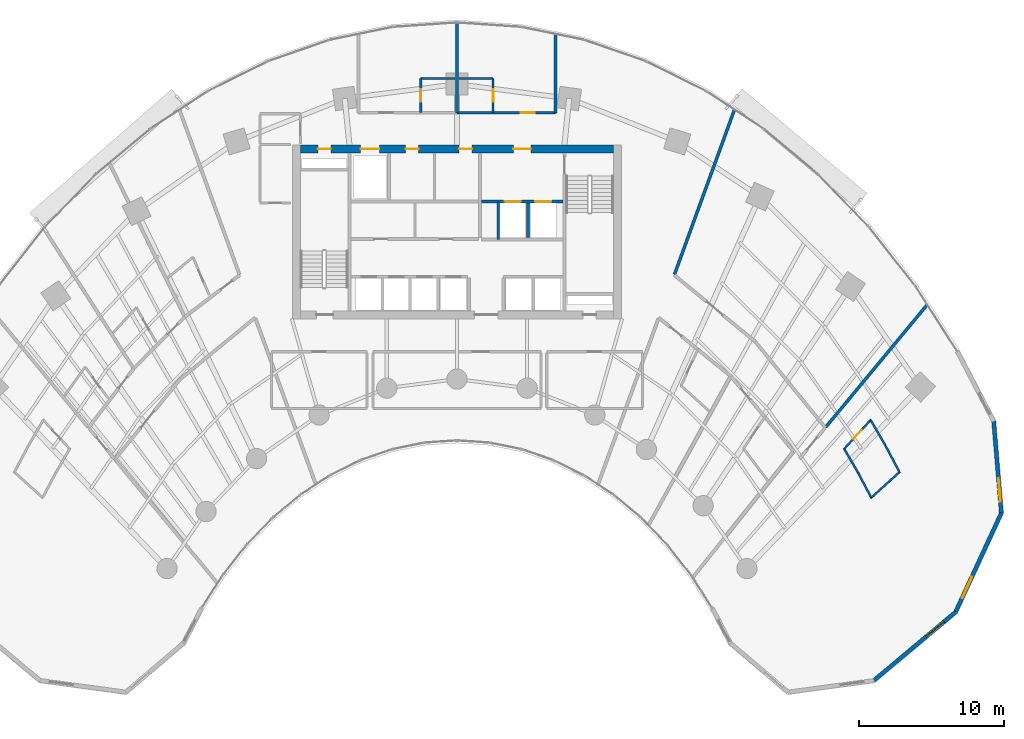
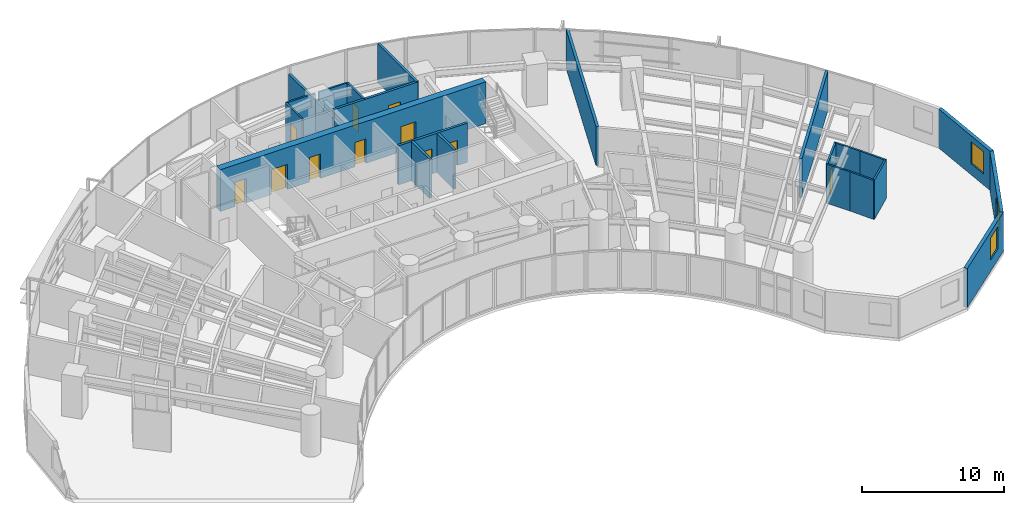
# One storey, part 14 of 17: 22 walls, 11 doors, 3 windows, 14 openings.
"""IFC4 building model written with IfcOpenShell, lengths in metres."""

from ifc_helpers import new_model, si_unit, direction, frame, frame_2d, origin, place, context, subcontext, project, spatial, rectangle, extrude, source, transform, mapped, material, layer, layer_set, type_object, type_shapes, element, fill, save


model = new_model("IFC4")

# Units and contexts
model_context = context("Model", 3, precision=1e-05, world=origin(), true_north=direction((0.0, 1.0)))
body_context = subcontext(model_context, "Body", "Model", "MODEL_VIEW")
ifc_project = project(units=[si_unit("LENGTHUNIT", "METRE"), si_unit("AREAUNIT", "SQUARE_METRE"), si_unit("VOLUMEUNIT", "CUBIC_METRE"), si_unit("PLANEANGLEUNIT", "RADIAN"), si_unit("MASSUNIT", "GRAM", prefix="KILO")], contexts=[model_context])

# Site, building, storey
site_placement = place(None, origin())
site = spatial("IfcSite", under=ifc_project, at=site_placement, CompositionType="ELEMENT")
building_placement = place(site_placement, origin())
building = spatial("IfcBuilding", under=site, at=building_placement, Name="Breltana Convention Tower", CompositionType="ELEMENT")
storey_placement = place(building_placement, frame((0.0, 0.0, 75.0)))
storey = spatial("IfcBuildingStorey", under=building, at=storey_placement, Name="L17", CompositionType="ELEMENT", Elevation=75.0)

# Wall, openings, doors
ifc_material_1 = material(Name="Concrete C60/75", Category="concrete")
ifc_layer_1 = layer(ifc_material_1, 0.550048828125, Name="Concrete C60/75")
ifc_layer_set_1 = layer_set([ifc_layer_1], Name="Concrete C60/75")
wall_type_1 = type_object("IfcWallType", Name="SW-CORE-550", PredefinedType="SHEAR", material=ifc_layer_set_1)
shared_shape_1 = source(origin(), body_context, "Body", "SweptSolid", [
    extrude(rectangle(XDim=21.60009765625, YDim=0.550048828125, at=frame_2d((10.800048828125, 0.0))), origin(), (0.0, 0.0, 1.0), 3.60009765625),
])
wall_1_placement = place(storey_placement, frame((37.199951171875, 71.925048828125, 0.0), z_axis=(0.0, 0.0, 1.0), x_axis=(1.0, 0.0, 0.0)))
wall_1 = element("IfcWall", 1, at=wall_1_placement, inside=storey, type_object=wall_type_1, Name="L17 North Core Shear Wall", PredefinedType="SHEAR", context=body_context, shape_type="MappedRepresentation", body=[
    mapped(shared_shape_1, transform((0.0, 0.0, 0.0), scale=1.0)),
])
opening_1_placement = place(wall_1_placement, frame((1.199951171875, 0.0, 0.0)))
opening_1 = element("IfcOpeningElement", 2, at=opening_1_placement, cuts=wall_1, Name="Opening D-18", PredefinedType="OPENING", context=body_context, shape_type="SweptSolid", body=[
    extrude(rectangle(XDim=0.89990234375, YDim=2.10009765625, at=frame_2d((0.449951171875, 1.050048828125))), frame((0.0, 0.28515625, 0.0), z_axis=(0.0, -1.0, 0.0), x_axis=(1.0, 0.0, 0.0)), (0.0, 0.0, 1.0), 0.570068359375),
])
opening_2_placement = place(wall_1_placement, frame((14.699951171875, 0.0, 0.0)))
opening_2 = element("IfcOpeningElement", 3, at=opening_2_placement, cuts=wall_1, Name="Opening D-09", PredefinedType="OPENING", context=body_context, shape_type="SweptSolid", body=[
    extrude(rectangle(XDim=1.199951171875, YDim=2.14990234375, at=frame_2d((0.60009765625, 1.074951171875))), frame((0.0, 0.28515625, 0.0), z_axis=(0.0, -1.0, 0.0), x_axis=(1.0, 0.0, 0.0)), (0.0, 0.0, 1.0), 0.570068359375),
])
opening_3_placement = place(wall_1_placement, frame((4.14990234375, 0.0, 0.0)))
opening_3 = element("IfcOpeningElement", 4, at=opening_3_placement, cuts=wall_1, Name="Opening LD-01", PredefinedType="OPENING", context=body_context, shape_type="SweptSolid", body=[
    extrude(rectangle(XDim=1.300048828125, YDim=2.14990234375, at=frame_2d((0.64990234375, 1.074951171875))), frame((0.0, 0.28515625, 0.0), z_axis=(0.0, -1.0, 0.0), x_axis=(1.0, 0.0, 0.0)), (0.0, 0.0, 1.0), 0.570068359375),
])
opening_4_placement = place(wall_1_placement, frame((7.25, 0.0, 0.0)))
opening_4 = element("IfcOpeningElement", 5, at=opening_4_placement, cuts=wall_1, Name="Opening D-18", PredefinedType="OPENING", context=body_context, shape_type="SweptSolid", body=[
    extrude(rectangle(XDim=0.89990234375, YDim=2.10009765625, at=frame_2d((0.449951171875, 1.050048828125))), frame((0.0, 0.28515625, 0.0), z_axis=(0.0, -1.0, 0.0), x_axis=(1.0, 0.0, 0.0)), (0.0, 0.0, 1.0), 0.570068359375),
])
opening_5_placement = place(wall_1_placement, frame((10.949951171875, 0.0, 0.0)))
opening_5 = element("IfcOpeningElement", 6, at=opening_5_placement, cuts=wall_1, Name="Opening D-18", PredefinedType="OPENING", context=body_context, shape_type="SweptSolid", body=[
    extrude(rectangle(XDim=0.89990234375, YDim=2.10009765625, at=frame_2d((0.449951171875, 1.050048828125))), frame((0.0, 0.28515625, 0.0), z_axis=(0.0, -1.0, 0.0), x_axis=(1.0, 0.0, 0.0)), (0.0, 0.0, 1.0), 0.570068359375),
])
ifc_material_2 = material(Name="Steel Riser Fire Door", Category="steel")
door_type_1 = type_object("IfcDoorType", Name="DR-FD60-900", OperationType="NOTDEFINED", PredefinedType="DOOR", material=ifc_material_2)
shared_shape_2 = source(origin(), body_context, "Body", "SweptSolid", [
    extrude(rectangle(XDim=0.89990234375, YDim=2.10009765625, at=frame_2d((0.449951171875, 1.050048828125))), frame((0.0, 0.02490234375, 0.0), z_axis=(0.0, -1.0, 0.0), x_axis=(1.0, 0.0, 0.0)), (0.0, 0.0, 1.0), 0.050048828125),
])
type_shapes(door_type_1, [shared_shape_2])
door_1_placement = place(opening_1_placement, origin())
door_1 = element("IfcDoor", 7, at=door_1_placement, inside=storey, type_object=door_type_1, Name="L17 Core Riser Access Door D-L17-RS1", OperationType="SINGLE_SWING_LEFT", OverallHeight=2.10009765625, OverallWidth=0.89990234375, PredefinedType="DOOR", context=body_context, shape_type="MappedRepresentation", body=[
    mapped(shared_shape_2, transform((0.0, 0.0, 0.0), scale=1.0)),
])
fill(opening_1, door_1)
door_2_placement = place(opening_4_placement, origin())
door_2 = element("IfcDoor", 8, at=door_2_placement, inside=storey, type_object=door_type_1, Name="L17 interior door D-L17-CRA1", OperationType="SINGLE_SWING_LEFT", OverallHeight=2.10009765625, OverallWidth=0.89990234375, PredefinedType="DOOR", context=body_context, shape_type="MappedRepresentation", body=[
    mapped(shared_shape_2, transform((0.0, 0.0, 0.0), scale=1.0)),
])
fill(opening_4, door_2)
door_3_placement = place(opening_5_placement, origin())
door_3 = element("IfcDoor", 9, at=door_3_placement, inside=storey, type_object=door_type_1, Name="L17 interior door D-L17-CRA2", OperationType="SINGLE_SWING_RIGHT", OverallHeight=2.10009765625, OverallWidth=0.89990234375, PredefinedType="DOOR", context=body_context, shape_type="MappedRepresentation", body=[
    mapped(shared_shape_2, transform((0.0, 0.0, 0.0), scale=1.0)),
])
fill(opening_5, door_3)
ifc_material_3 = material(Name="Steel Fire Lobby Door", Category="steel")
door_type_2 = type_object("IfcDoorType", Name="DR-FD120-1200", OperationType="NOTDEFINED", PredefinedType="DOOR", material=ifc_material_3)
shared_shape_3 = source(origin(), body_context, "Body", "SweptSolid", [
    extrude(rectangle(XDim=1.199951171875, YDim=2.14990234375, at=frame_2d((0.60009765625, 1.074951171875))), frame((0.0, 0.02490234375, 0.0), z_axis=(0.0, -1.0, 0.0), x_axis=(1.0, 0.0, 0.0)), (0.0, 0.0, 1.0), 0.050048828125),
])
type_shapes(door_type_2, [shared_shape_3])
door_4_placement = place(opening_2_placement, origin())
door_4 = element("IfcDoor", 10, at=door_4_placement, inside=storey, type_object=door_type_2, Name="L17 interior door D-L17-FFL-N", OperationType="SINGLE_SWING_RIGHT", OverallHeight=2.14990234375, OverallWidth=1.199951171875, PredefinedType="DOOR", context=body_context, shape_type="MappedRepresentation", body=[
    mapped(shared_shape_3, transform((0.0, 0.0, 0.0), scale=1.0)),
])
fill(opening_2, door_4)
ifc_material_4 = material(Name="Stainless Steel Brushed", Category="steel")
door_type_3 = type_object("IfcDoorType", Name="DR-LD-SRV-1300", OperationType="DOUBLE_DOOR_SLIDING", PredefinedType="DOOR", material=ifc_material_4)
shared_shape_4 = source(origin(), body_context, "Body", "SweptSolid", [
    extrude(rectangle(XDim=1.300048828125, YDim=2.14990234375, at=frame_2d((0.64990234375, 1.074951171875))), frame((0.0, 0.02490234375, 0.0), z_axis=(0.0, -1.0, 0.0), x_axis=(1.0, 0.0, 0.0)), (0.0, 0.0, 1.0), 0.050048828125),
])
type_shapes(door_type_3, [shared_shape_4])
door_5_placement = place(opening_3_placement, origin())
door_5 = element("IfcDoor", 11, at=door_5_placement, inside=storey, type_object=door_type_3, Name="L17 Lift Landing Door D-L17-LD-SV1", OperationType="DOUBLE_DOOR_SLIDING", OverallHeight=2.14990234375, OverallWidth=1.300048828125, PredefinedType="DOOR", context=body_context, shape_type="MappedRepresentation", body=[
    mapped(shared_shape_4, transform((0.0, 0.0, 0.0), scale=1.0)),
])
fill(opening_3, door_5)

# Wall, opening, window
ifc_material_5 = material(Name="Limestone Buff Insulated Wall", Category="masonry")
ifc_layer_2 = layer(ifc_material_5, 0.280029296875, Name="Limestone Buff Insulated Wall")
ifc_layer_set_2 = layer_set([ifc_layer_2], Name="Limestone Buff Insulated Wall")
wall_type_2 = type_object("IfcWallType", Name="WL-EXT-NOSE-280", PredefinedType="SOLIDWALL", material=ifc_layer_set_2)
shared_shape_5 = source(origin(), body_context, "Body", "SweptSolid", [
    extrude(rectangle(XDim=6.3525390625, YDim=0.280029296875, at=frame_2d((3.17626953125, 0.0))), origin(), (0.0, 0.0, 1.0), 3.360107421875),
])
wall_2_placement = place(storey_placement, frame((85.052978515625, 53.1220703125, 0.0), z_axis=(0.0, 0.0, 1.0), x_axis=(0.083319001377, -0.996522926986, 0.0)))
wall_2 = element("IfcWall", 12, at=wall_2_placement, inside=storey, type_object=wall_type_2, Name="L17 curved limestone nose wall E1", PredefinedType="SOLIDWALL", context=body_context, shape_type="MappedRepresentation", body=[
    mapped(shared_shape_5, transform((0.0, 0.0, 0.0), scale=1.0)),
])
opening_6_placement = place(wall_2_placement, frame((3.96435546875, 0.0, 0.949951171875)))
opening_6 = element("IfcOpeningElement", 13, at=opening_6_placement, cuts=wall_2, Name="Opening W-04", PredefinedType="OPENING", context=body_context, shape_type="SweptSolid", body=[
    extrude(rectangle(XDim=1.60009765625, YDim=1.89990234375, at=frame_2d((0.800048828125, 0.949951171875))), frame((0.0, 0.14990234375, 0.0), z_axis=(0.0, -1.0, 0.0), x_axis=(1.0, 0.0, 0.0)), (0.0, 0.0, 1.0), 0.300048828125),
])
ifc_material_6 = material(Name="Glass Low-E Insulated Window", Category="glass")
window_type = type_object("IfcWindowType", Name="WN-NOSE-1600X1900", PartitioningType="SINGLE_PANEL", PredefinedType="WINDOW", material=ifc_material_6)
shared_shape_6 = source(origin(), body_context, "Body", "SweptSolid", [
    extrude(rectangle(XDim=1.60009765625, YDim=1.89990234375, at=frame_2d((0.800048828125, 0.949951171875))), frame((0.0, 0.030029296875, 0.0), z_axis=(0.0, -1.0, 0.0), x_axis=(1.0, 0.0, 0.0)), (0.0, 0.0, 1.0), 0.06005859375),
])
type_shapes(window_type, [shared_shape_6])
window_1_placement = place(opening_6_placement, origin())
window_1 = element("IfcWindow", 14, at=window_1_placement, inside=storey, type_object=window_type, Name="L17 nose window E1", OverallHeight=1.89990234375, OverallWidth=1.60009765625, PartitioningType="SINGLE_PANEL", PredefinedType="WINDOW", context=body_context, shape_type="MappedRepresentation", body=[
    mapped(shared_shape_6, transform((0.0, 0.0, 0.0), scale=1.0)),
])
fill(opening_6, window_1)

shared_shape_7 = source(origin(), body_context, "Body", "SweptSolid", [
    extrude(rectangle(XDim=7.536376953125, YDim=0.280029296875, at=frame_2d((3.76806640625, 0.0))), origin(), (0.0, 0.0, 1.0), 3.360107421875),
])
wall_3_placement = place(storey_placement, frame((85.582275390625, 46.79150390625, 0.0), z_axis=(0.0, 0.0, 1.0), x_axis=(-0.41964973873, -0.907686122393, 0.0)))
wall_3 = element("IfcWall", 15, at=wall_3_placement, inside=storey, type_object=wall_type_2, Name="L17 curved limestone nose wall E2", PredefinedType="SOLIDWALL", context=body_context, shape_type="MappedRepresentation", body=[
    mapped(shared_shape_7, transform((0.0, 0.0, 0.0), scale=1.0)),
])
opening_7_placement = place(wall_3_placement, frame((4.852294921875, 0.0, 0.949951171875)))
opening_7 = element("IfcOpeningElement", 16, at=opening_7_placement, cuts=wall_3, Name="Opening W-04", PredefinedType="OPENING", context=body_context, shape_type="SweptSolid", body=[
    extrude(rectangle(XDim=1.60009765625, YDim=1.89990234375, at=frame_2d((0.800048828125, 0.949951171875))), frame((0.0, 0.14990234375, 0.0), z_axis=(0.0, -1.0, 0.0), x_axis=(1.0, 0.0, 0.0)), (0.0, 0.0, 1.0), 0.300048828125),
])
window_2_placement = place(opening_7_placement, origin())
window_2 = element("IfcWindow", 17, at=window_2_placement, inside=storey, type_object=window_type, Name="L17 nose window E2", OverallHeight=1.89990234375, OverallWidth=1.60009765625, PartitioningType="SINGLE_PANEL", PredefinedType="WINDOW", context=body_context, shape_type="MappedRepresentation", body=[
    mapped(shared_shape_6, transform((0.0, 0.0, 0.0), scale=1.0)),
])
fill(opening_7, window_2)

shared_shape_8 = source(origin(), body_context, "Body", "SweptSolid", [
    extrude(rectangle(XDim=7.35888671875, YDim=0.280029296875, at=frame_2d((3.679443359375, 0.0))), origin(), (0.0, 0.0, 1.0), 3.360107421875),
])
wall_4_placement = place(storey_placement, frame((82.419677734375, 39.950927734375, 0.0), z_axis=(0.0, 0.0, 1.0), x_axis=(-0.766737165543, -0.641961150675, 0.0)))
wall_4 = element("IfcWall", 18, at=wall_4_placement, inside=storey, type_object=wall_type_2, Name="L17 curved limestone nose wall E3", PredefinedType="SOLIDWALL", context=body_context, shape_type="MappedRepresentation", body=[
    mapped(shared_shape_8, transform((0.0, 0.0, 0.0), scale=1.0)),
])
opening_8_placement = place(wall_4_placement, frame((1.039794921875, 0.0, 0.949951171875)))
opening_8 = element("IfcOpeningElement", 19, at=opening_8_placement, cuts=wall_4, Name="Opening W-04", PredefinedType="OPENING", context=body_context, shape_type="SweptSolid", body=[
    extrude(rectangle(XDim=1.60009765625, YDim=1.89990234375, at=frame_2d((0.800048828125, 0.949951171875))), frame((0.0, 0.14990234375, 0.0), z_axis=(0.0, -1.0, 0.0), x_axis=(1.0, 0.0, 0.0)), (0.0, 0.0, 1.0), 0.300048828125),
])
window_3_placement = place(opening_8_placement, origin())
window_3 = element("IfcWindow", 20, at=window_3_placement, inside=storey, type_object=window_type, Name="L17 nose window E3", OverallHeight=1.89990234375, OverallWidth=1.60009765625, PartitioningType="SINGLE_PANEL", PredefinedType="WINDOW", context=body_context, shape_type="MappedRepresentation", body=[
    mapped(shared_shape_6, transform((0.0, 0.0, 0.0), scale=1.0)),
])
fill(opening_8, window_3)

# Wall, openings, doors
ifc_material_7 = material(Name="Autoclaved Aerated Concrete Block", Category="concrete")
ifc_layer_3 = layer(ifc_material_7, 0.199951171875, Name="Autoclaved Aerated Concrete Block")
ifc_layer_set_3 = layer_set([ifc_layer_3], Name="Autoclaved Aerated Concrete Block")
wall_type_3 = type_object("IfcWallType", Name="WL-SHAFT-200", PredefinedType="SOLIDWALL", material=ifc_layer_set_3)
shared_shape_9 = source(origin(), body_context, "Body", "SweptSolid", [
    extrude(rectangle(XDim=5.6201171875, YDim=0.199951171875, at=frame_2d((2.81005859375, 0.0))), origin(), (0.0, 0.0, 1.0), 3.360107421875),
])
wall_5_placement = place(storey_placement, frame((49.699951171875, 68.300048828125, 0.0), z_axis=(0.0, 0.0, 1.0), x_axis=(1.0, 0.0, 0.0)))
wall_5 = element("IfcWall", 21, at=wall_5_placement, inside=storey, type_object=wall_type_3, Name="L17 interior partition W-L17-FFL-S", PredefinedType="SOLIDWALL", context=body_context, shape_type="MappedRepresentation", body=[
    mapped(shared_shape_9, transform((0.0, 0.0, 0.0), scale=1.0)),
])
opening_9_placement = place(wall_5_placement, frame((1.60009765625, 0.0, 0.0)))
opening_9 = element("IfcOpeningElement", 22, at=opening_9_placement, cuts=wall_5, Name="Opening LD-03", PredefinedType="OPENING", context=body_context, shape_type="SweptSolid", body=[
    extrude(rectangle(XDim=1.10009765625, YDim=2.14990234375, at=frame_2d((0.550048828125, 1.074951171875))), frame((0.0, 0.10986328125, 0.0), z_axis=(0.0, -1.0, 0.0), x_axis=(1.0, 0.0, 0.0)), (0.0, 0.0, 1.0), 0.219970703125),
])
opening_10_placement = place(wall_5_placement, frame((3.699951171875, 0.0, 0.0)))
opening_10 = element("IfcOpeningElement", 23, at=opening_10_placement, cuts=wall_5, Name="Opening LD-03", PredefinedType="OPENING", context=body_context, shape_type="SweptSolid", body=[
    extrude(rectangle(XDim=1.10009765625, YDim=2.14990234375, at=frame_2d((0.550048828125, 1.074951171875))), frame((0.0, 0.10986328125, 0.0), z_axis=(0.0, -1.0, 0.0), x_axis=(1.0, 0.0, 0.0)), (0.0, 0.0, 1.0), 0.219970703125),
])
door_type_4 = type_object("IfcDoorType", Name="DR-LD-FF-1100", OperationType="DOUBLE_DOOR_SLIDING", PredefinedType="DOOR", material=ifc_material_4)
shared_shape_10 = source(origin(), body_context, "Body", "SweptSolid", [
    extrude(rectangle(XDim=1.10009765625, YDim=2.14990234375, at=frame_2d((0.550048828125, 1.074951171875))), frame((0.0, 0.02490234375, 0.0), z_axis=(0.0, -1.0, 0.0), x_axis=(1.0, 0.0, 0.0)), (0.0, 0.0, 1.0), 0.050048828125),
])
type_shapes(door_type_4, [shared_shape_10])
door_6_placement = place(opening_9_placement, origin())
door_6 = element("IfcDoor", 24, at=door_6_placement, inside=storey, type_object=door_type_4, Name="L17 Lift Landing Door D-L17-LD-FL1", OperationType="DOUBLE_DOOR_SLIDING", OverallHeight=2.14990234375, OverallWidth=1.10009765625, PredefinedType="DOOR", context=body_context, shape_type="MappedRepresentation", body=[
    mapped(shared_shape_10, transform((0.0, 0.0, 0.0), scale=1.0)),
])
fill(opening_9, door_6)
door_7_placement = place(opening_10_placement, origin())
door_7 = element("IfcDoor", 25, at=door_7_placement, inside=storey, type_object=door_type_4, Name="L17 Lift Landing Door D-L17-LD-FL2", OperationType="DOUBLE_DOOR_SLIDING", OverallHeight=2.14990234375, OverallWidth=1.10009765625, PredefinedType="DOOR", context=body_context, shape_type="MappedRepresentation", body=[
    mapped(shared_shape_10, transform((0.0, 0.0, 0.0), scale=1.0)),
])
fill(opening_10, door_7)

# Walls
shared_shape_11 = source(origin(), body_context, "Body", "SweptSolid", [
    extrude(rectangle(XDim=2.580078125, YDim=0.199951171875, at=frame_2d((1.2900390625, 0.0))), origin(), (0.0, 0.0, 1.0), 3.360107421875),
])
wall_6_placement = place(storey_placement, frame((50.85009765625, 65.679931640625, 0.0), z_axis=(0.0, 0.0, 1.0), x_axis=(0.0, 1.0, 0.0)))
element("IfcWall", 26, at=wall_6_placement, inside=storey, type_object=wall_type_3, Name="L17 interior partition W-L17-FL-W", PredefinedType="SOLIDWALL", context=body_context, shape_type="MappedRepresentation", body=[
    mapped(shared_shape_11, transform((0.0, 0.0, 0.0), scale=1.0)),
])
shared_shape_12 = source(origin(), body_context, "Body", "SweptSolid", [
    extrude(rectangle(XDim=2.39990234375, YDim=0.199951171875, at=frame_2d((1.199951171875, 0.0))), origin(), (0.0, 0.0, 1.0), 3.360107421875),
])
wall_7_placement = place(storey_placement, frame((52.89990234375, 65.800048828125, 0.0), z_axis=(0.0, 0.0, 1.0), x_axis=(0.0, 1.0, 0.0)))
element("IfcWall", 27, at=wall_7_placement, inside=storey, type_object=wall_type_3, Name="L17 interior partition W-L17-FL-DIV", PredefinedType="SOLIDWALL", context=body_context, shape_type="MappedRepresentation", body=[
    mapped(shared_shape_12, transform((0.0, 0.0, 0.0), scale=1.0)),
])

# Wall, opening, door
ifc_material_8 = material(Name="Gypsum Acoustic Hotel Wall")
ifc_layer_4 = layer(ifc_material_8, 0.195068359375, Name="Gypsum Acoustic Hotel Wall")
ifc_layer_set_4 = layer_set([ifc_layer_4], Name="Gypsum Acoustic Hotel Wall")
wall_type_4 = type_object("IfcWallType", Name="WL-HOTEL-200", PredefinedType="PARTITIONING", material=ifc_layer_set_4)
shared_shape_13 = source(origin(), body_context, "Body", "SweptSolid", [
    extrude(rectangle(XDim=6.800048828125, YDim=0.195068359375, at=frame_2d((3.39990234375, 0.0))), origin(), (0.0, 0.0, 1.0), 3.360107421875),
])
type_shapes(wall_type_4, [shared_shape_13])
wall_8_placement = place(storey_placement, frame((48.0, 74.419921875, 0.0), z_axis=(0.0, 0.0, 1.0), x_axis=(1.0, 0.0, 0.0)))
wall_8 = element("IfcWall", 28, at=wall_8_placement, inside=storey, type_object=wall_type_4, Name="L17 interior partition W-L17-GRN2-S", PredefinedType="PARTITIONING", context=body_context, shape_type="MappedRepresentation", body=[
    mapped(shared_shape_13, transform((0.0, 0.0, 0.0), scale=1.0)),
])
opening_11_placement = place(wall_8_placement, frame((4.4208984375, 0.0, 0.0)))
opening_11 = element("IfcOpeningElement", 29, at=opening_11_placement, cuts=wall_8, Name="Opening D-14", PredefinedType="OPENING", context=body_context, shape_type="SweptSolid", body=[
    extrude(rectangle(XDim=0.949951171875, YDim=2.14990234375, at=frame_2d((0.47509765625, 1.074951171875))), frame((0.0, 0.107421875, 0.0), z_axis=(0.0, -1.0, 0.0), x_axis=(1.0, 0.0, 0.0)), (0.0, 0.0, 1.0), 0.215087890625),
])
ifc_material_9 = material(Name="Timber Solid-Core Fire Door", Category="wood")
door_type_5 = type_object("IfcDoorType", Name="DR-FD60-950", OperationType="NOTDEFINED", PredefinedType="DOOR", material=ifc_material_9)
shared_shape_14 = source(origin(), body_context, "Body", "SweptSolid", [
    extrude(rectangle(XDim=0.949951171875, YDim=2.14990234375, at=frame_2d((0.47509765625, 1.074951171875))), frame((0.0, 0.02490234375, 0.0), z_axis=(0.0, -1.0, 0.0), x_axis=(1.0, 0.0, 0.0)), (0.0, 0.0, 1.0), 0.050048828125),
])
type_shapes(door_type_5, [shared_shape_14])
door_8_placement = place(opening_11_placement, origin())
door_8 = element("IfcDoor", 30, at=door_8_placement, inside=storey, type_object=door_type_5, Name="L17 interior door D-L17-GRN2", OperationType="SINGLE_SWING_RIGHT", OverallHeight=2.14990234375, OverallWidth=0.949951171875, PredefinedType="DOOR", context=body_context, shape_type="MappedRepresentation", body=[
    mapped(shared_shape_14, transform((0.0, 0.0, 0.0), scale=1.0)),
])
fill(opening_11, door_8)

# Walls
shared_shape_15 = source(origin(), body_context, "Body", "SweptSolid", [
    extrude(rectangle(XDim=6.215576171875, YDim=0.195068359375, at=frame_2d((3.10791015625, 0.0))), origin(), (0.0, 0.0, 1.0), 2.64404296875),
])
wall_9_placement = place(storey_placement, frame((48.0, 74.419921875, 0.0), z_axis=(0.0, 0.0, 1.0), x_axis=(0.0, 1.0, 0.0)))
element("IfcWall", 31, at=wall_9_placement, inside=storey, type_object=wall_type_4, Name="L17 interior partition W-L17-GRN-MID", PredefinedType="PARTITIONING", context=body_context, shape_type="MappedRepresentation", body=[
    mapped(shared_shape_15, transform((0.0, 0.0, 0.0), scale=1.0)),
])
shared_shape_16 = source(origin(), body_context, "Body", "SweptSolid", [
    extrude(rectangle(XDim=5.42626953125, YDim=0.195068359375, at=frame_2d((2.713134765625, 0.0))), origin(), (0.0, 0.0, 1.0), 3.360107421875),
])
wall_10_placement = place(storey_placement, frame((54.800048828125, 74.419921875, 0.0), z_axis=(0.0, 0.0, 1.0), x_axis=(0.0, 1.0, 0.0)))
element("IfcWall", 32, at=wall_10_placement, inside=storey, type_object=wall_type_4, Name="L17 interior partition W-L17-GRN2-SD", PredefinedType="PARTITIONING", context=body_context, shape_type="MappedRepresentation", body=[
    mapped(shared_shape_16, transform((0.0, 0.0, 0.0), scale=1.0)),
])
ifc_material_10 = material(Name="Moisture-Resistant En-Suite Partition")
ifc_layer_5 = layer(ifc_material_10, 0.139892578125, Name="Moisture-Resistant En-Suite Partition")
ifc_layer_set_5 = layer_set([ifc_layer_5], Name="Moisture-Resistant En-Suite Partition")
wall_type_5 = type_object("IfcWallType", Name="WL-WET-150", PredefinedType="PARTITIONING", material=ifc_layer_set_5)
shared_shape_17 = source(origin(), body_context, "Body", "SweptSolid", [
    extrude(rectangle(XDim=2.35009765625, YDim=0.139892578125, at=frame_2d((1.175048828125, 0.0))), origin(), (0.0, 0.0, 1.0), 3.360107421875),
])
type_shapes(wall_type_5, [shared_shape_17])
for number, where, z_axis, x_axis, name in (
    (33, (45.5, 76.780029296875, 0.0), (0.0, 0.0, 1.0), (1.0, 0.0, 0.0), "L17 interior partition W-L17-ENSN1-N"),
    (34, (48.14990234375, 76.780029296875, 0.0), (0.0, 0.0, 1.0), (1.0, 0.0, 0.0), "L17 interior partition W-L17-ENSN2-N"),
):
    element("IfcWall", number, at=place(storey_placement, frame(where, z_axis=z_axis, x_axis=x_axis)), inside=storey, type_object=wall_type_5, Name=name, PredefinedType="PARTITIONING", context=body_context, shape_type="MappedRepresentation", body=[
        mapped(shared_shape_17, transform((0.0, 0.0, 0.0), scale=1.0)),
    ])

# Wall, opening, door
shared_shape_18 = source(origin(), body_context, "Body", "SweptSolid", [
    extrude(rectangle(XDim=2.330078125, YDim=0.139892578125, at=frame_2d((1.1650390625, 0.0))), origin(), (0.0, 0.0, 1.0), 3.360107421875),
])
wall_11_placement = place(storey_placement, frame((45.5, 74.449951171875, 0.0), z_axis=(0.0, 0.0, 1.0), x_axis=(0.0, 1.0, 0.0)))
wall_11 = element("IfcWall", 35, at=wall_11_placement, inside=storey, type_object=wall_type_5, Name="L17 interior partition W-L17-ENSN1-SD", PredefinedType="PARTITIONING", context=body_context, shape_type="MappedRepresentation", body=[
    mapped(shared_shape_18, transform((0.0, 0.0, 0.0), scale=1.0)),
])
opening_12_placement = place(wall_11_placement, frame((0.739990234375, 0.0, 0.0)))
opening_12 = element("IfcOpeningElement", 36, at=opening_12_placement, cuts=wall_11, Name="Opening D-21", PredefinedType="OPENING", context=body_context, shape_type="SweptSolid", body=[
    extrude(rectangle(XDim=0.85009765625, YDim=2.050048828125, at=frame_2d((0.425048828125, 1.02490234375))), frame((0.0, 0.080078125, 0.0), z_axis=(0.0, -1.0, 0.0), x_axis=(1.0, 0.0, 0.0)), (0.0, 0.0, 1.0), 0.159912109375),
])
ifc_material_11 = material(Name="Timber Moisture-Resistant En-Suite Door", Category="wood")
door_type_6 = type_object("IfcDoorType", Name="DR-WET-850", OperationType="NOTDEFINED", PredefinedType="DOOR", material=ifc_material_11)
shared_shape_19 = source(origin(), body_context, "Body", "SweptSolid", [
    extrude(rectangle(XDim=0.85009765625, YDim=2.050048828125, at=frame_2d((0.425048828125, 1.02490234375))), frame((0.0, 0.02490234375, 0.0), z_axis=(0.0, -1.0, 0.0), x_axis=(1.0, 0.0, 0.0)), (0.0, 0.0, 1.0), 0.050048828125),
])
type_shapes(door_type_6, [shared_shape_19])
door_9_placement = place(opening_12_placement, origin())
door_9 = element("IfcDoor", 37, at=door_9_placement, inside=storey, type_object=door_type_6, Name="L17 interior door D-L17-ENSN1", OperationType="SINGLE_SWING_LEFT", OverallHeight=2.050048828125, OverallWidth=0.85009765625, PredefinedType="DOOR", context=body_context, shape_type="MappedRepresentation", body=[
    mapped(shared_shape_19, transform((0.0, 0.0, 0.0), scale=1.0)),
])
fill(opening_12, door_9)

wall_12_placement = place(storey_placement, frame((50.5, 74.449951171875, 0.0), z_axis=(0.0, 0.0, 1.0), x_axis=(0.0, 1.0, 0.0)))
wall_12 = element("IfcWall", 38, at=wall_12_placement, inside=storey, type_object=wall_type_5, Name="L17 interior partition W-L17-ENSN2-SD", PredefinedType="PARTITIONING", context=body_context, shape_type="MappedRepresentation", body=[
    mapped(shared_shape_18, transform((0.0, 0.0, 0.0), scale=1.0)),
])
opening_13_placement = place(wall_12_placement, frame((0.739990234375, 0.0, 0.0)))
opening_13 = element("IfcOpeningElement", 39, at=opening_13_placement, cuts=wall_12, Name="Opening D-21", PredefinedType="OPENING", context=body_context, shape_type="SweptSolid", body=[
    extrude(rectangle(XDim=0.85009765625, YDim=2.050048828125, at=frame_2d((0.425048828125, 1.02490234375))), frame((0.0, 0.080078125, 0.0), z_axis=(0.0, -1.0, 0.0), x_axis=(1.0, 0.0, 0.0)), (0.0, 0.0, 1.0), 0.159912109375),
])
door_10_placement = place(opening_13_placement, origin())
door_10 = element("IfcDoor", 40, at=door_10_placement, inside=storey, type_object=door_type_6, Name="L17 interior door D-L17-ENSN2", OperationType="SINGLE_SWING_LEFT", OverallHeight=2.050048828125, OverallWidth=0.85009765625, PredefinedType="DOOR", context=body_context, shape_type="MappedRepresentation", body=[
    mapped(shared_shape_19, transform((0.0, 0.0, 0.0), scale=1.0)),
])
fill(opening_13, door_10)

shared_shape_20 = source(origin(), body_context, "Body", "SweptSolid", [
    extrude(rectangle(XDim=2.812255859375, YDim=0.139892578125, at=frame_2d((1.40625, 0.0))), origin(), (0.0, 0.0, 1.0), 3.360107421875),
])
wall_13_placement = place(storey_placement, frame((74.69677734375, 51.176513671875, 0.0), z_axis=(0.0, 0.0, 1.0), x_axis=(0.675119025852, 0.737708818527, 0.0)))
wall_13 = element("IfcWall", 41, at=wall_13_placement, inside=storey, type_object=wall_type_5, Name="L17 interior partition W-L17-CSENS-E-W", PredefinedType="PARTITIONING", context=body_context, shape_type="MappedRepresentation", body=[
    mapped(shared_shape_20, transform((0.0, 0.0, 0.0), scale=1.0)),
])
opening_14_placement = place(wall_13_placement, frame((0.981201171875, 0.0, 0.0)))
opening_14 = element("IfcOpeningElement", 42, at=opening_14_placement, cuts=wall_13, Name="Opening D-21", PredefinedType="OPENING", context=body_context, shape_type="SweptSolid", body=[
    extrude(rectangle(XDim=0.85009765625, YDim=2.050048828125, at=frame_2d((0.425048828125, 1.02490234375))), frame((0.0, 0.080078125, 0.0), z_axis=(0.0, -1.0, 0.0), x_axis=(1.0, 0.0, 0.0)), (0.0, 0.0, 1.0), 0.159912109375),
])
door_11_placement = place(opening_14_placement, origin())
door_11 = element("IfcDoor", 43, at=door_11_placement, inside=storey, type_object=door_type_6, Name="L17 interior door D-L17-CSENS-E", OperationType="SINGLE_SWING_LEFT", OverallHeight=2.050048828125, OverallWidth=0.85009765625, PredefinedType="DOOR", context=body_context, shape_type="MappedRepresentation", body=[
    mapped(shared_shape_19, transform((0.0, 0.0, 0.0), scale=1.0)),
])
fill(opening_14, door_11)

# Walls
shared_shape_21 = source(origin(), body_context, "Body", "SweptSolid", [
    extrude(rectangle(XDim=2.738037109375, YDim=0.139892578125, at=frame_2d((1.369140625, 0.0))), origin(), (0.0, 0.0, 1.0), 3.360107421875),
])
wall_14_placement = place(storey_placement, frame((76.560302734375, 47.81396484375, 0.0), z_axis=(0.0, 0.0, 1.0), x_axis=(0.741873676582, 0.670539669218, 0.0)))
element("IfcWall", 44, at=wall_14_placement, inside=storey, type_object=wall_type_5, Name="L17 interior partition W-L17-CSENS-E-F", PredefinedType="PARTITIONING", context=body_context, shape_type="MappedRepresentation", body=[
    mapped(shared_shape_21, transform((0.0, 0.0, 0.0), scale=1.0)),
])
shared_shape_22 = source(origin(), body_context, "Body", "SweptSolid", [
    extrude(rectangle(XDim=1.936279296875, YDim=0.139892578125, at=frame_2d((0.96826171875, 0.0))), origin(), (0.0, 0.0, 1.0), 3.360107421875),
])
wall_15_placement = place(storey_placement, frame((75.697265625, 49.5634765625, 0.0), z_axis=(0.0, 0.0, 1.0), x_axis=(0.467174971862, -0.884164886017, 0.0)))
element("IfcWall", 45, at=wall_15_placement, inside=storey, type_object=wall_type_5, Name="L17 interior partition W-L17-CSENS-E-B1B", PredefinedType="PARTITIONING", context=body_context, shape_type="MappedRepresentation", body=[
    mapped(shared_shape_22, transform((0.0, 0.0, 0.0), scale=1.0)),
])
shared_shape_23 = source(origin(), body_context, "Body", "SweptSolid", [
    extrude(rectangle(XDim=2.068115234375, YDim=0.139892578125, at=frame_2d((1.0341796875, 0.0))), origin(), (0.0, 0.0, 1.0), 3.360107421875),
])
wall_16_placement = place(storey_placement, frame((77.583740234375, 51.44091796875, 0.0), z_axis=(0.0, 0.0, 1.0), x_axis=(0.467215057643, -0.884143704333, 0.0)))
element("IfcWall", 46, at=wall_16_placement, inside=storey, type_object=wall_type_5, Name="L17 interior partition W-L17-CSENS-E-B2B", PredefinedType="PARTITIONING", context=body_context, shape_type="MappedRepresentation", body=[
    mapped(shared_shape_23, transform((0.0, 0.0, 0.0), scale=1.0)),
])
shared_shape_24 = source(origin(), body_context, "Body", "SweptSolid", [
    extrude(rectangle(XDim=1.914306640625, YDim=0.139892578125, at=frame_2d((0.95703125, 0.0))), origin(), (0.0, 0.0, 1.0), 3.360107421875),
])
wall_17_placement = place(storey_placement, frame((74.735595703125, 51.21875, 0.0), z_axis=(0.0, 0.0, 1.0), x_axis=(0.502347790612, -0.864665656347, 0.0)))
element("IfcWall", 47, at=wall_17_placement, inside=storey, type_object=wall_type_5, Name="L17 interior partition W-L17-CSENS-E-B1A", PredefinedType="PARTITIONING", context=body_context, shape_type="MappedRepresentation", body=[
    mapped(shared_shape_24, transform((0.0, 0.0, 0.0), scale=1.0)),
])
shared_shape_25 = source(origin(), body_context, "Body", "SweptSolid", [
    extrude(rectangle(XDim=2.044677734375, YDim=0.139892578125, at=frame_2d((1.0224609375, 0.0))), origin(), (0.0, 0.0, 1.0), 3.360107421875),
])
wall_18_placement = place(storey_placement, frame((76.556640625, 53.208984375, 0.0), z_axis=(0.0, 0.0, 1.0), x_axis=(0.5023112139, -0.864686905411, 0.0)))
element("IfcWall", 48, at=wall_18_placement, inside=storey, type_object=wall_type_5, Name="L17 interior partition W-L17-CSENS-E-B2A", PredefinedType="PARTITIONING", context=body_context, shape_type="MappedRepresentation", body=[
    mapped(shared_shape_25, transform((0.0, 0.0, 0.0), scale=1.0)),
])
ifc_material_12 = material(Name="Autoclaved Aerated Masonry Blockwork", Category="masonry")
ifc_layer_6 = layer(ifc_material_12, 0.2099609375, Name="Autoclaved Aerated Masonry Blockwork")
ifc_layer_set_6 = layer_set([ifc_layer_6], Name="Autoclaved Aerated Masonry Blockwork")
wall_type_6 = type_object("IfcWallType", Name="WL-PART-200", PredefinedType="PARTITIONING", material=ifc_layer_set_6)
shared_shape_26 = source(origin(), body_context, "Body", "SweptSolid", [
    extrude(rectangle(XDim=12.088134765625, YDim=0.2099609375, at=frame_2d((6.0439453125, 0.0))), origin(), (0.0, 0.0, 1.0), 3.360107421875),
])
wall_19_placement = place(storey_placement, frame((63.0185546875, 63.26220703125, 0.0), z_axis=(0.0, 0.0, 1.0), x_axis=(0.34203007529, 0.939689005787, 0.0)))
element("IfcWall", 49, at=wall_19_placement, inside=storey, type_object=wall_type_6, Name="L17 interior partition W-L17-H3OE-RA", PredefinedType="PARTITIONING", context=body_context, shape_type="MappedRepresentation", body=[
    mapped(shared_shape_26, transform((0.0, 0.0, 0.0), scale=1.0)),
])
shared_shape_27 = source(origin(), body_context, "Body", "SweptSolid", [
    extrude(rectangle(XDim=10.974609375, YDim=0.2099609375, at=frame_2d((5.4873046875, 0.0))), origin(), (0.0, 0.0, 1.0), 3.360107421875),
])
wall_20_placement = place(storey_placement, frame((73.460205078125, 52.71875, 0.0), z_axis=(0.0, 0.0, 1.0), x_axis=(0.638125265812, 0.769932558821, 0.0)))
element("IfcWall", 50, at=wall_20_placement, inside=storey, type_object=wall_type_6, Name="L17 interior partition W-L17-H3OE-RB", PredefinedType="PARTITIONING", context=body_context, shape_type="MappedRepresentation", body=[
    mapped(shared_shape_27, transform((0.0, 0.0, 0.0), scale=1.0)),
])

save(model, "model.ifc")
